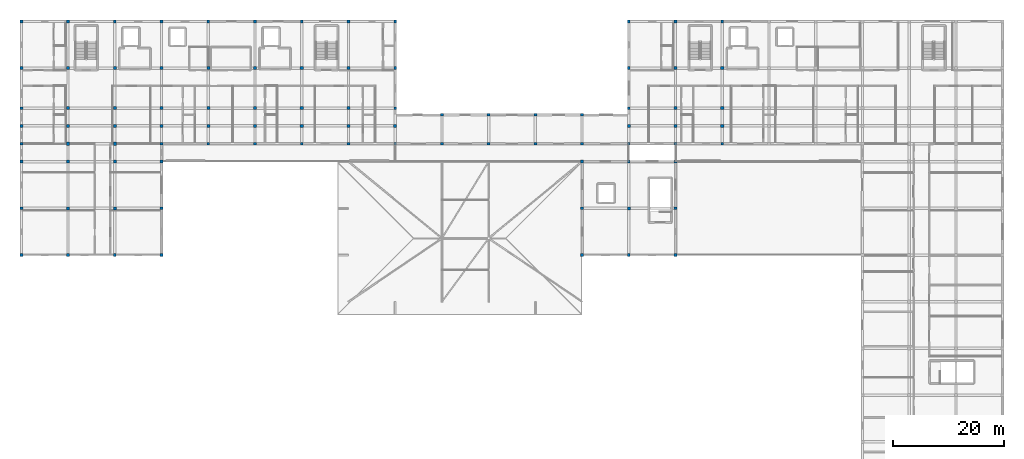
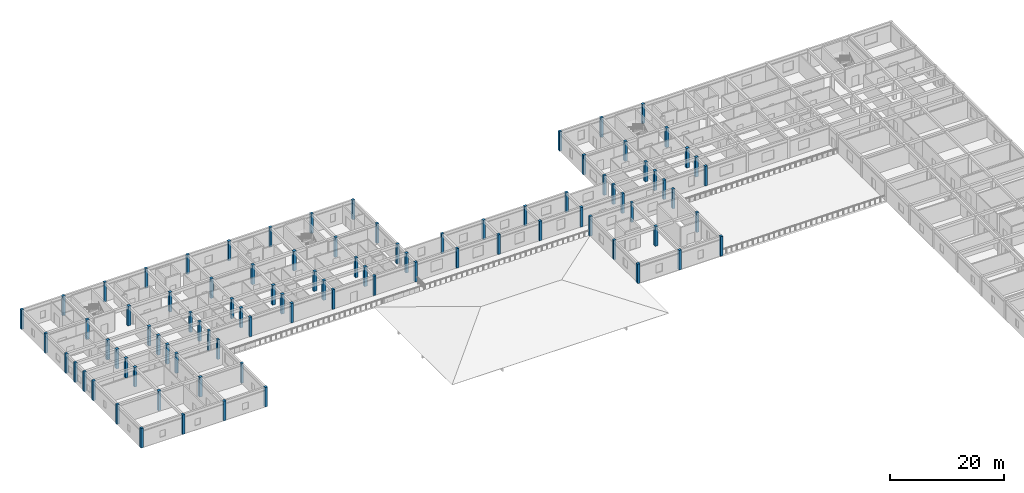
# One storey, part 1 of 28: 89 columns.
"""IFC4 building model written with IfcOpenShell, lengths in metres."""

from ifc_helpers import new_model, si_unit, direction, frame, origin, origin_2d, place, context, subcontext, project, spatial, rectangle, extrude, material, material_profile, profile_set, type_object, element, save


model = new_model("IFC4")

# Units and contexts
model_context = context("Model", 3, precision=1e-05, world=origin(), true_north=direction((0.0, 1.0)))
body_context = subcontext(model_context, "Body", "Model", "MODEL_VIEW")
ifc_project = project(units=[si_unit("LENGTHUNIT", "METRE"), si_unit("AREAUNIT", "SQUARE_METRE"), si_unit("VOLUMEUNIT", "CUBIC_METRE"), si_unit("PLANEANGLEUNIT", "RADIAN"), si_unit("MASSUNIT", "GRAM", prefix="KILO")], contexts=[model_context])

# Site, building, storey
site_placement = place(None, origin())
site = spatial("IfcSite", under=ifc_project, at=site_placement, CompositionType="ELEMENT")
building_placement = place(site_placement, origin())
building = spatial("IfcBuilding", under=site, at=building_placement, Name="Varncliffe General Hospital", CompositionType="ELEMENT")
storey_placement = place(building_placement, frame((0.0, 0.0, 24.60009765625)))
storey = spatial("IfcBuildingStorey", under=building, at=storey_placement, Name="L05", CompositionType="ELEMENT", Elevation=24.60009765625)

# Columns
ifc_material = material(Name="Concrete C40/50 (CSA A23.1 40 MPa)", Category="concrete")
ifc_material_profile_1 = material_profile(ifc_material, rectangle(XDim=0.5, YDim=0.5, at=origin_2d()), Name="RC 500x500")
ifc_profile_set_1 = profile_set([ifc_material_profile_1], Name="Concrete C40/50 (CSA A23.1 40 MPa)")
column_type_1 = type_object("IfcColumnType", Name="Column C65 (Ext RC 500x500)", PredefinedType="COLUMN", material=ifc_profile_set_1)
for number, where, z_axis, x_axis, name in (
    (1, (0.0, 82.800048828125, 0.0), (0.0, 0.0, 1.0), (1.0, 0.0, 0.0), "L05 Column C65"),
    (2, (0.0, 91.199951171875, 0.0), (0.0, 0.0, 1.0), (1.0, 0.0, 0.0), "L05 Column C65"),
    (3, (0.0, 99.60009765625, 0.0), (0.0, 0.0, 1.0), (1.0, 0.0, 0.0), "L05 Column C65"),
    (4, (0.0, 102.800048828125, 0.0), (0.0, 0.0, 1.0), (1.0, 0.0, 0.0), "L05 Column C65"),
    (5, (0.0, 106.0, 0.0), (0.0, 0.0, 1.0), (1.0, 0.0, 0.0), "L05 Column C65"),
    (6, (0.0, 109.199951171875, 0.0), (0.0, 0.0, 1.0), (1.0, 0.0, 0.0), "L05 Column C65"),
    (7, (0.0, 116.39990234375, 0.0), (0.0, 0.0, 1.0), (1.0, 0.0, 0.0), "L05 Column C65"),
    (8, (0.0, 124.800048828125, 0.0), (0.0, 0.0, 1.0), (1.0, 0.0, 0.0), "L05 Column C65"),
    (9, (8.39990234375, 82.800048828125, 0.0), (0.0, 0.0, 1.0), (1.0, 0.0, 0.0), "L05 Column C65"),
    (10, (8.39990234375, 124.800048828125, 0.0), (0.0, 0.0, 1.0), (1.0, 0.0, 0.0), "L05 Column C65"),
    (11, (16.800048828125, 82.800048828125, 0.0), (0.0, 0.0, 1.0), (1.0, 0.0, 0.0), "L05 Column C65"),
    (12, (16.800048828125, 124.800048828125, 0.0), (0.0, 0.0, 1.0), (1.0, 0.0, 0.0), "L05 Column C65"),
    (13, (25.199951171875, 82.800048828125, 0.0), (0.0, 0.0, 1.0), (1.0, 0.0, 0.0), "L05 Column C65"),
    (14, (25.199951171875, 91.199951171875, 0.0), (0.0, 0.0, 1.0), (1.0, 0.0, 0.0), "L05 Column C65"),
    (15, (25.199951171875, 99.60009765625, 0.0), (0.0, 0.0, 1.0), (1.0, 0.0, 0.0), "L05 Column C65"),
    (16, (25.199951171875, 102.800048828125, 0.0), (0.0, 0.0, 1.0), (1.0, 0.0, 0.0), "L05 Column C65"),
    (17, (25.199951171875, 124.800048828125, 0.0), (0.0, 0.0, 1.0), (1.0, 0.0, 0.0), "L05 Column C65"),
    (18, (33.60009765625, 102.800048828125, 0.0), (0.0, 0.0, 1.0), (1.0, 0.0, 0.0), "L05 Column C65"),
    (19, (33.60009765625, 124.800048828125, 0.0), (0.0, 0.0, 1.0), (1.0, 0.0, 0.0), "L05 Column C65"),
    (20, (42.0, 102.800048828125, 0.0), (0.0, 0.0, 1.0), (1.0, 0.0, 0.0), "L05 Column C65"),
    (21, (42.0, 124.800048828125, 0.0), (0.0, 0.0, 1.0), (1.0, 0.0, 0.0), "L05 Column C65"),
    (22, (50.39990234375, 102.800048828125, 0.0), (0.0, 0.0, 1.0), (1.0, 0.0, 0.0), "L05 Column C65"),
    (23, (50.39990234375, 124.800048828125, 0.0), (0.0, 0.0, 1.0), (1.0, 0.0, 0.0), "L05 Column C65"),
    (24, (58.800048828125, 102.800048828125, 0.0), (0.0, 0.0, 1.0), (1.0, 0.0, 0.0), "L05 Column C65"),
    (25, (58.800048828125, 124.800048828125, 0.0), (0.0, 0.0, 1.0), (1.0, 0.0, 0.0), "L05 Column C65"),
    (26, (67.199951171875, 102.800048828125, 0.0), (0.0, 0.0, 1.0), (1.0, 0.0, 0.0), "L05 Column C65"),
    (27, (67.199951171875, 109.199951171875, 0.0), (0.0, 0.0, 1.0), (1.0, 0.0, 0.0), "L05 Column C65"),
    (28, (67.199951171875, 116.39990234375, 0.0), (0.0, 0.0, 1.0), (1.0, 0.0, 0.0), "L05 Column C65"),
    (29, (67.199951171875, 124.800048828125, 0.0), (0.0, 0.0, 1.0), (1.0, 0.0, 0.0), "L05 Column C65"),
    (30, (75.60009765625, 102.800048828125, 0.0), (0.0, 0.0, 1.0), (1.0, 0.0, 0.0), "L05 Column C65"),
    (31, (75.60009765625, 108.0, 0.0), (0.0, 0.0, 1.0), (1.0, 0.0, 0.0), "L05 Column C65"),
    (32, (84.0, 102.800048828125, 0.0), (0.0, 0.0, 1.0), (1.0, 0.0, 0.0), "L05 Column C65"),
    (33, (84.0, 108.0, 0.0), (0.0, 0.0, 1.0), (1.0, 0.0, 0.0), "L05 Column C65"),
    (34, (92.39990234375, 102.800048828125, 0.0), (0.0, 0.0, 1.0), (1.0, 0.0, 0.0), "L05 Column C65"),
    (35, (92.39990234375, 108.0, 0.0), (0.0, 0.0, 1.0), (1.0, 0.0, 0.0), "L05 Column C65"),
    (36, (100.800048828125, 82.800048828125, 0.0), (0.0, 0.0, 1.0), (1.0, 0.0, 0.0), "L05 Column C65"),
    (37, (100.800048828125, 91.199951171875, 0.0), (0.0, 0.0, 1.0), (1.0, 0.0, 0.0), "L05 Column C65"),
    (38, (100.800048828125, 99.60009765625, 0.0), (0.0, 0.0, 1.0), (1.0, 0.0, 0.0), "L05 Column C65"),
    (39, (100.800048828125, 102.800048828125, 0.0), (0.0, 0.0, 1.0), (1.0, 0.0, 0.0), "L05 Column C65"),
    (40, (100.800048828125, 108.0, 0.0), (0.0, 0.0, 1.0), (1.0, 0.0, 0.0), "L05 Column C65"),
    (41, (109.199951171875, 82.800048828125, 0.0), (0.0, 0.0, 1.0), (1.0, 0.0, 0.0), "L05 Column C65"),
    (42, (109.199951171875, 99.60009765625, 0.0), (0.0, 0.0, 1.0), (1.0, 0.0, 0.0), "L05 Column C65"),
    (43, (109.199951171875, 102.800048828125, 0.0), (0.0, 0.0, 1.0), (1.0, 0.0, 0.0), "L05 Column C65"),
    (44, (109.199951171875, 109.199951171875, 0.0), (0.0, 0.0, 1.0), (1.0, 0.0, 0.0), "L05 Column C65"),
    (45, (109.199951171875, 116.39990234375, 0.0), (0.0, 0.0, 1.0), (1.0, 0.0, 0.0), "L05 Column C65"),
    (46, (109.199951171875, 124.800048828125, 0.0), (0.0, 0.0, 1.0), (1.0, 0.0, 0.0), "L05 Column C65"),
    (47, (117.60009765625, 82.800048828125, 0.0), (0.0, 0.0, 1.0), (1.0, 0.0, 0.0), "L05 Column C65"),
    (48, (117.60009765625, 91.199951171875, 0.0), (0.0, 0.0, 1.0), (1.0, 0.0, 0.0), "L05 Column C65"),
    (49, (117.60009765625, 99.60009765625, 0.0), (0.0, 0.0, 1.0), (1.0, 0.0, 0.0), "L05 Column C65"),
    (50, (117.60009765625, 102.800048828125, 0.0), (0.0, 0.0, 1.0), (1.0, 0.0, 0.0), "L05 Column C65"),
    (51, (117.60009765625, 124.800048828125, 0.0), (0.0, 0.0, 1.0), (1.0, 0.0, 0.0), "L05 Column C65"),
    (52, (126.0, 102.800048828125, 0.0), (0.0, 0.0, 1.0), (1.0, 0.0, 0.0), "L05 Column C65"),
    (53, (126.0, 124.800048828125, 0.0), (0.0, 0.0, 1.0), (1.0, 0.0, 0.0), "L05 Column C65"),
):
    element("IfcColumn", number, at=place(storey_placement, frame(where, z_axis=z_axis, x_axis=x_axis)), inside=storey, type_object=column_type_1, Name=name, PredefinedType="COLUMN", context=body_context, shape_type="SweptSolid", body=[
        extrude(rectangle(XDim=0.5, YDim=0.5, at=origin_2d()), origin(), (0.0, 0.0, 1.0), 4.199951171875),
    ])
ifc_material_profile_2 = material_profile(ifc_material, rectangle(XDim=0.550048828125, YDim=0.550048828125, at=origin_2d()), Name="RC 550x550")
ifc_profile_set_2 = profile_set([ifc_material_profile_2], Name="Concrete C40/50 (CSA A23.1 40 MPa)")
column_type_2 = type_object("IfcColumnType", Name="Column C85 (Int RC 550x550)", PredefinedType="COLUMN", material=ifc_profile_set_2)
for number, where, z_axis, x_axis, name in (
    (54, (8.39990234375, 91.199951171875, 0.0), (0.0, 0.0, 1.0), (1.0, 0.0, 0.0), "L05 Column C85"),
    (55, (8.39990234375, 99.60009765625, 0.0), (0.0, 0.0, 1.0), (1.0, 0.0, 0.0), "L05 Column C85"),
    (56, (8.39990234375, 102.800048828125, 0.0), (0.0, 0.0, 1.0), (1.0, 0.0, 0.0), "L05 Column C85"),
    (57, (8.39990234375, 106.0, 0.0), (0.0, 0.0, 1.0), (1.0, 0.0, 0.0), "L05 Column C85"),
    (58, (8.39990234375, 109.199951171875, 0.0), (0.0, 0.0, 1.0), (1.0, 0.0, 0.0), "L05 Column C85"),
    (59, (8.39990234375, 116.39990234375, 0.0), (0.0, 0.0, 1.0), (1.0, 0.0, 0.0), "L05 Column C85"),
    (60, (16.800048828125, 91.199951171875, 0.0), (0.0, 0.0, 1.0), (1.0, 0.0, 0.0), "L05 Column C85"),
    (61, (16.800048828125, 99.60009765625, 0.0), (0.0, 0.0, 1.0), (1.0, 0.0, 0.0), "L05 Column C85"),
    (62, (16.800048828125, 102.800048828125, 0.0), (0.0, 0.0, 1.0), (1.0, 0.0, 0.0), "L05 Column C85"),
    (63, (16.800048828125, 106.0, 0.0), (0.0, 0.0, 1.0), (1.0, 0.0, 0.0), "L05 Column C85"),
    (64, (16.800048828125, 109.199951171875, 0.0), (0.0, 0.0, 1.0), (1.0, 0.0, 0.0), "L05 Column C85"),
    (65, (16.800048828125, 116.39990234375, 0.0), (0.0, 0.0, 1.0), (1.0, 0.0, 0.0), "L05 Column C85"),
    (66, (25.199951171875, 106.0, 0.0), (0.0, 0.0, 1.0), (1.0, 0.0, 0.0), "L05 Column C85"),
    (67, (25.199951171875, 109.199951171875, 0.0), (0.0, 0.0, 1.0), (1.0, 0.0, 0.0), "L05 Column C85"),
    (68, (25.199951171875, 116.39990234375, 0.0), (0.0, 0.0, 1.0), (1.0, 0.0, 0.0), "L05 Column C85"),
    (69, (33.60009765625, 106.0, 0.0), (0.0, 0.0, 1.0), (1.0, 0.0, 0.0), "L05 Column C85"),
    (70, (33.60009765625, 109.199951171875, 0.0), (0.0, 0.0, 1.0), (1.0, 0.0, 0.0), "L05 Column C85"),
    (71, (33.60009765625, 116.39990234375, 0.0), (0.0, 0.0, 1.0), (1.0, 0.0, 0.0), "L05 Column C85"),
    (72, (42.0, 106.0, 0.0), (0.0, 0.0, 1.0), (1.0, 0.0, 0.0), "L05 Column C85"),
    (73, (42.0, 109.199951171875, 0.0), (0.0, 0.0, 1.0), (1.0, 0.0, 0.0), "L05 Column C85"),
    (74, (42.0, 116.39990234375, 0.0), (0.0, 0.0, 1.0), (1.0, 0.0, 0.0), "L05 Column C85"),
    (75, (50.39990234375, 106.0, 0.0), (0.0, 0.0, 1.0), (1.0, 0.0, 0.0), "L05 Column C85"),
    (76, (50.39990234375, 109.199951171875, 0.0), (0.0, 0.0, 1.0), (1.0, 0.0, 0.0), "L05 Column C85"),
    (77, (50.39990234375, 116.39990234375, 0.0), (0.0, 0.0, 1.0), (1.0, 0.0, 0.0), "L05 Column C85"),
    (78, (58.800048828125, 106.0, 0.0), (0.0, 0.0, 1.0), (1.0, 0.0, 0.0), "L05 Column C85"),
    (79, (58.800048828125, 109.199951171875, 0.0), (0.0, 0.0, 1.0), (1.0, 0.0, 0.0), "L05 Column C85"),
    (80, (58.800048828125, 116.39990234375, 0.0), (0.0, 0.0, 1.0), (1.0, 0.0, 0.0), "L05 Column C85"),
    (81, (67.199951171875, 106.0, 0.0), (0.0, 0.0, 1.0), (1.0, 0.0, 0.0), "L05 Column C85"),
    (82, (109.199951171875, 91.199951171875, 0.0), (0.0, 0.0, 1.0), (1.0, 0.0, 0.0), "L05 Column C85"),
    (83, (109.199951171875, 106.0, 0.0), (0.0, 0.0, 1.0), (1.0, 0.0, 0.0), "L05 Column C85"),
    (84, (117.60009765625, 106.0, 0.0), (0.0, 0.0, 1.0), (1.0, 0.0, 0.0), "L05 Column C85"),
    (85, (117.60009765625, 109.199951171875, 0.0), (0.0, 0.0, 1.0), (1.0, 0.0, 0.0), "L05 Column C85"),
    (86, (117.60009765625, 116.39990234375, 0.0), (0.0, 0.0, 1.0), (1.0, 0.0, 0.0), "L05 Column C85"),
    (87, (126.0, 106.0, 0.0), (0.0, 0.0, 1.0), (1.0, 0.0, 0.0), "L05 Column C85"),
    (88, (126.0, 109.199951171875, 0.0), (0.0, 0.0, 1.0), (1.0, 0.0, 0.0), "L05 Column C85"),
    (89, (126.0, 116.39990234375, 0.0), (0.0, 0.0, 1.0), (1.0, 0.0, 0.0), "L05 Column C85"),
):
    element("IfcColumn", number, at=place(storey_placement, frame(where, z_axis=z_axis, x_axis=x_axis)), inside=storey, type_object=column_type_2, Name=name, PredefinedType="COLUMN", context=body_context, shape_type="SweptSolid", body=[
        extrude(rectangle(XDim=0.550048828125, YDim=0.550048828125, at=origin_2d()), origin(), (0.0, 0.0, 1.0), 4.199951171875),
    ])

save(model, "model.ifc")
